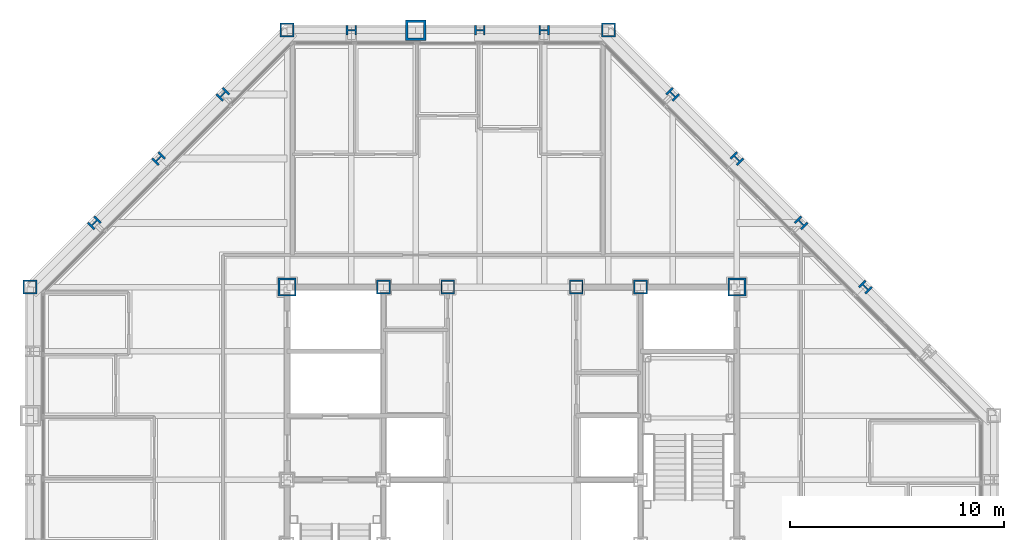
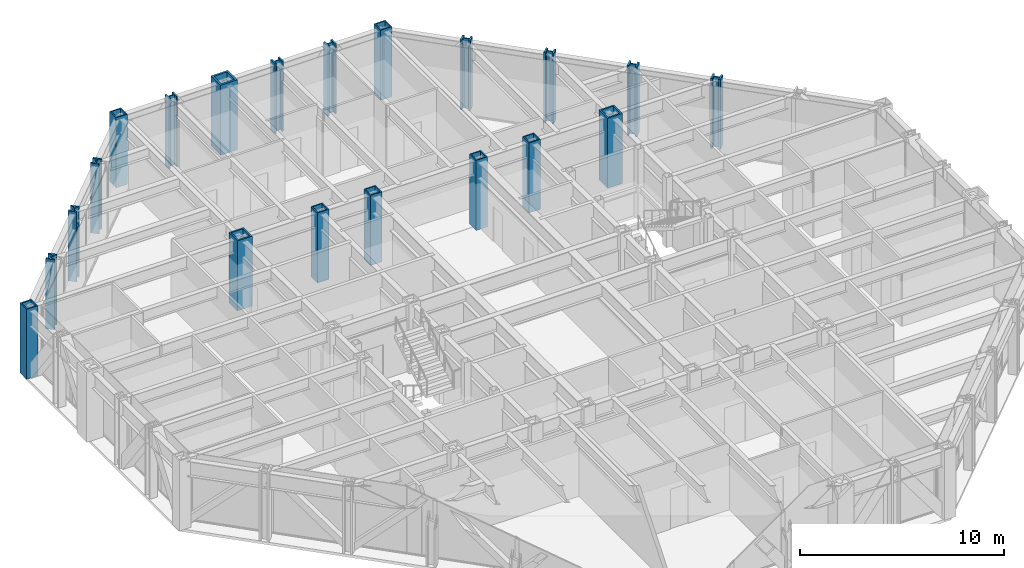
# One storey, part 4 of 16: 20 columns.
"""IFC4 building model written with IfcOpenShell, lengths in metres."""

from ifc_helpers import new_model, si_unit, direction, frame, origin, origin_2d, place, context, subcontext, project, spatial, hollow_rectangle, i_section, extrude, material, material_profile, profile_set, type_object, element, save


model = new_model("IFC4")

# Units and contexts
model_context = context("Model", 3, precision=1e-05, world=origin(), true_north=direction((0.0, 1.0)))
body_context = subcontext(model_context, "Body", "Model", "MODEL_VIEW")
ifc_project = project(units=[si_unit("LENGTHUNIT", "METRE"), si_unit("AREAUNIT", "SQUARE_METRE"), si_unit("VOLUMEUNIT", "CUBIC_METRE"), si_unit("PLANEANGLEUNIT", "RADIAN"), si_unit("MASSUNIT", "GRAM", prefix="KILO")], contexts=[model_context])

# Site, building, storey
site_placement = place(None, origin())
site = spatial("IfcSite", under=ifc_project, at=site_placement, CompositionType="ELEMENT")
building_placement = place(site_placement, origin())
building = spatial("IfcBuilding", under=site, at=building_placement, Name="Chuquiago Exchange Tower", CompositionType="ELEMENT")
storey_placement = place(building_placement, frame((0.0, 0.0, 205.5)))
storey = spatial("IfcBuildingStorey", under=building, at=storey_placement, Name="L45", CompositionType="ELEMENT", Elevation=205.5)

# Columns
ifc_material_1 = material(Name="Steel ASTM A992", Category="steel")
ifc_material_profile_1 = material_profile(ifc_material_1, i_section(OverallWidth=0.431884765625, OverallDepth=0.497802734375, WebThickness=0.0556640625, FlangeThickness=0.0888671875, at=origin_2d()), Name="W14X500")
ifc_profile_set_1 = profile_set([ifc_material_profile_1], Name="Steel ASTM A992")
column_type_1 = type_object("IfcColumnType", Name="C4 W14X500", PredefinedType="COLUMN", material=ifc_profile_set_1)
for number, where, z_axis, x_axis, name in (
    (1, (24.0, 45.0, 0.0), (0.0, 0.0, 1.0), (0.0, 1.0, 0.0), "COL-L45-24_45"),
    (2, (21.0, 45.0, 0.0), (0.0, 0.0, 1.0), (0.0, 1.0, 0.0), "COL-L45-21_45"),
    (3, (15.0, 45.0, 0.0), (0.0, 0.0, 1.0), (0.0, 1.0, 0.0), "COL-L45-15_45"),
):
    element("IfcColumn", number, at=place(storey_placement, frame(where, z_axis=z_axis, x_axis=x_axis)), inside=storey, type_object=column_type_1, Name=name, PredefinedType="COLUMN", context=body_context, shape_type="SweptSolid", body=[
        extrude(i_section(OverallWidth=0.431884765625, OverallDepth=0.497802734375, WebThickness=0.0556640625, FlangeThickness=0.0888671875, at=origin_2d()), origin(), (0.0, 0.0, 1.0), 4.199951171875),
    ])
ifc_material_2 = material(Name="Steel ASTM A572 Grade 50", Category="steel")
ifc_material_profile_2 = material_profile(ifc_material_2, hollow_rectangle(XDim=0.64990234375, YDim=0.64990234375, WallThickness=0.06494140625, at=origin_2d()), Name="BOX650X650X65")
ifc_profile_set_2 = profile_set([ifc_material_profile_2], Name="Steel ASTM A572 Grade 50")
column_type_2 = type_object("IfcColumnType", Name="CC4 BOX650X650X65", PredefinedType="COLUMN", material=ifc_profile_set_2)
for number, where, z_axis, x_axis, name in (
    (4, (16.5, 33.0, 0.0), (0.0, 0.0, 1.0), (1.0, 0.0, 0.0), "CCOL-L45-16.5_33"),
    (5, (19.5, 33.0, 0.0), (0.0, 0.0, 1.0), (1.0, 0.0, 0.0), "CCOL-L45-19.5_33"),
    (6, (25.5, 33.0, 0.0), (0.0, 0.0, 1.0), (1.0, 0.0, 0.0), "CCOL-L45-25.5_33"),
    (7, (28.5, 33.0, 0.0), (0.0, 0.0, 1.0), (1.0, 0.0, 0.0), "CCOL-L45-28.5_33"),
):
    element("IfcColumn", number, at=place(storey_placement, frame(where, z_axis=z_axis, x_axis=x_axis)), inside=storey, type_object=column_type_2, Name=name, PredefinedType="COLUMN", context=body_context, shape_type="SweptSolid", body=[
        extrude(hollow_rectangle(XDim=0.64990234375, YDim=0.64990234375, WallThickness=0.06494140625, at=origin_2d()), origin(), (0.0, 0.0, 1.0), 4.199951171875),
    ])
ifc_material_3 = material(Name="Steel ASTM A572 Grade 50", Category="steel")
ifc_material_profile_3 = material_profile(ifc_material_3, hollow_rectangle(XDim=0.85009765625, YDim=0.85009765625, WallThickness=0.0849609375, at=origin_2d()), Name="BOX850X850X85")
ifc_profile_set_3 = profile_set([ifc_material_profile_3], Name="Steel ASTM A572 Grade 50")
column_type_3 = type_object("IfcColumnType", Name="CC6 BOX850X850X85", PredefinedType="COLUMN", material=ifc_profile_set_3)
for number, where, z_axis, x_axis, name in (
    (8, (12.0, 33.0, 0.0), (0.0, 0.0, 1.0), (1.0, 0.0, 0.0), "CCOL-L45-12_33"),
    (9, (33.0, 33.0, 0.0), (0.0, 0.0, 1.0), (1.0, 0.0, 0.0), "CCOL-L45-33_33"),
):
    element("IfcColumn", number, at=place(storey_placement, frame(where, z_axis=z_axis, x_axis=x_axis)), inside=storey, type_object=column_type_3, Name=name, PredefinedType="COLUMN", context=body_context, shape_type="SweptSolid", body=[
        extrude(hollow_rectangle(XDim=0.85009765625, YDim=0.85009765625, WallThickness=0.0849609375, at=origin_2d()), origin(), (0.0, 0.0, 1.0), 4.199951171875),
    ])
ifc_material_4 = material(Name="Steel ASTM A992", Category="steel")
ifc_material_profile_4 = material_profile(ifc_material_4, i_section(OverallWidth=0.436767578125, OverallDepth=0.51318359375, WebThickness=0.060546875, FlangeThickness=0.096923828125, at=origin_2d()), Name="W14X550")
ifc_profile_set_4 = profile_set([ifc_material_profile_4], Name="Steel ASTM A992")
column_type_4 = type_object("IfcColumnType", Name="CK4 W14X550", PredefinedType="COLUMN", material=ifc_profile_set_4)
for number, where, z_axis, x_axis, name in (
    (10, (39.0, 33.0, 0.0), (0.0, 0.0, 1.0), (0.707106781187, 0.707106781187, 0.0), "COL-L45-39_33"),
    (11, (36.0, 36.0, 0.0), (0.0, 0.0, 1.0), (0.707106781187, 0.707106781187, 0.0), "COL-L45-36_36"),
    (12, (33.0, 39.0, 0.0), (0.0, 0.0, 1.0), (0.707106781187, 0.707106781187, 0.0), "COL-L45-33_39"),
    (13, (30.0, 42.0, 0.0), (0.0, 0.0, 1.0), (0.707106781187, 0.707106781187, 0.0), "COL-L45-30_42"),
    (14, (9.0, 42.0, 0.0), (0.0, 0.0, 1.0), (-0.707106781187, 0.707106781187, 0.0), "COL-L45-9_42"),
    (15, (6.0, 39.0, 0.0), (0.0, 0.0, 1.0), (-0.707106781187, 0.707106781187, 0.0), "COL-L45-6_39"),
    (16, (3.0, 36.0, 0.0), (0.0, 0.0, 1.0), (-0.707106781187, 0.707106781187, 0.0), "COL-L45-3_36"),
):
    element("IfcColumn", number, at=place(storey_placement, frame(where, z_axis=z_axis, x_axis=x_axis)), inside=storey, type_object=column_type_4, Name=name, PredefinedType="COLUMN", context=body_context, shape_type="SweptSolid", body=[
        extrude(i_section(OverallWidth=0.436767578125, OverallDepth=0.51318359375, WebThickness=0.060546875, FlangeThickness=0.096923828125, at=origin_2d()), origin(), (0.0, 0.0, 1.0), 4.199951171875),
    ])
ifc_material_5 = material(Name="Steel ASTM A572 Grade 50", Category="steel")
ifc_material_profile_5 = material_profile(ifc_material_5, hollow_rectangle(XDim=0.64990234375, YDim=0.64990234375, WallThickness=0.06494140625, at=origin_2d()), Name="BOX650X650X65")
ifc_profile_set_5 = profile_set([ifc_material_profile_5], Name="Steel ASTM A572 Grade 50")
column_type_5 = type_object("IfcColumnType", Name="CN2 BOX650X650X65", PredefinedType="COLUMN", material=ifc_profile_set_5)
for number, where, z_axis, x_axis, name in (
    (17, (27.0, 45.0, 0.0), (0.0, 0.0, 1.0), (0.0, 1.0, 0.0), "COL-L45-27_45"),
    (18, (12.0, 45.0, 0.0), (0.0, 0.0, 1.0), (0.0, 1.0, 0.0), "COL-L45-12_45"),
    (19, (0.0, 33.0, 0.0), (0.0, 0.0, 1.0), (-1.0, 0.0, 0.0), "COL-L45-0_33"),
):
    element("IfcColumn", number, at=place(storey_placement, frame(where, z_axis=z_axis, x_axis=x_axis)), inside=storey, type_object=column_type_5, Name=name, PredefinedType="COLUMN", context=body_context, shape_type="SweptSolid", body=[
        extrude(hollow_rectangle(XDim=0.64990234375, YDim=0.64990234375, WallThickness=0.06494140625, at=origin_2d()), origin(), (0.0, 0.0, 1.0), 4.199951171875),
    ])
ifc_material_6 = material(Name="Steel ASTM A572 Grade 42", Category="steel")
ifc_material_profile_6 = material_profile(ifc_material_6, hollow_rectangle(XDim=0.949951171875, YDim=0.949951171875, WallThickness=0.110107421875, at=origin_2d()), Name="BOX950X950X110")
ifc_profile_set_6 = profile_set([ifc_material_profile_6], Name="Steel ASTM A572 Grade 42")
column_type_6 = type_object("IfcColumnType", Name="CT1 BOX950X950X110", PredefinedType="COLUMN", material=ifc_profile_set_6)
column_placement = place(storey_placement, frame((18.0, 45.0, 0.0), z_axis=(0.0, 0.0, 1.0), x_axis=(0.0, 1.0, 0.0)))
element("IfcColumn", 20, at=column_placement, inside=storey, type_object=column_type_6, Name="COL-L45-18_45", PredefinedType="COLUMN", context=body_context, shape_type="SweptSolid", body=[
    extrude(hollow_rectangle(XDim=0.949951171875, YDim=0.949951171875, WallThickness=0.110107421875, at=origin_2d()), origin(), (0.0, 0.0, 1.0), 4.199951171875),
])

save(model, "model.ifc")
